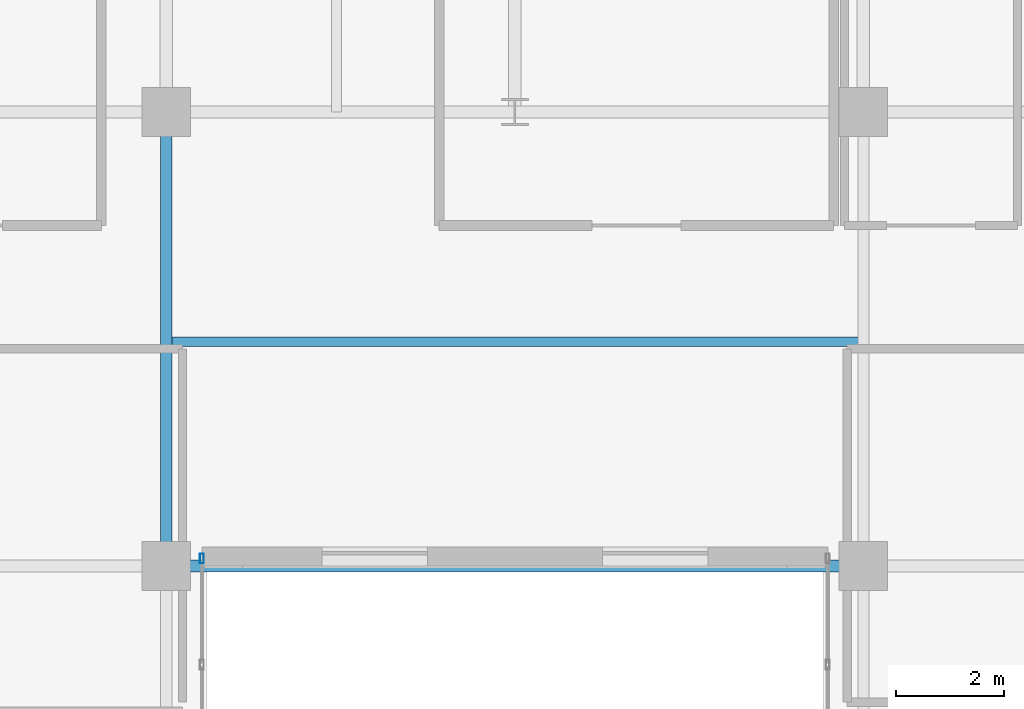
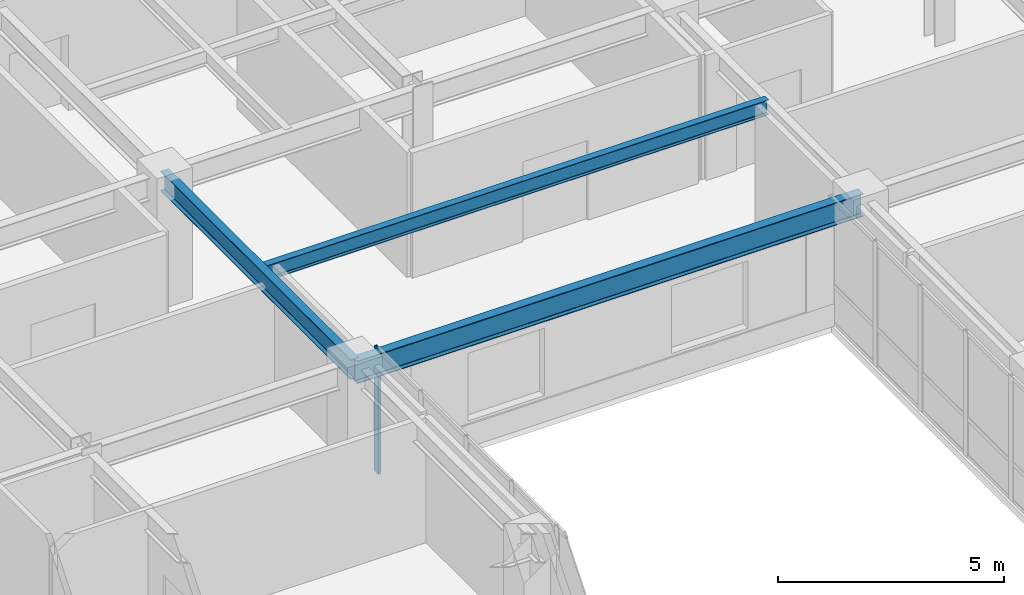
# One storey, part 5 of 25: 3 beams, 1 member, 1 element without a shape of its own.
"""IFC4 building model written with IfcOpenShell, lengths in metres."""

from ifc_helpers import new_model, si_unit, direction, frame, origin, origin_2d, place, context, subcontext, project, spatial, hollow_rectangle, i_section, extrude, source, transform, mapped, material, layer, layer_set, material_profile, profile_set, type_object, type_shapes, element, aggregate, save


model = new_model("IFC4")

# Units and contexts
model_context = context("Model", 3, precision=1e-05, world=origin(), true_north=direction((0.0, 1.0)))
body_context = subcontext(model_context, "Body", "Model", "MODEL_VIEW")
ifc_project = project(units=[si_unit("LENGTHUNIT", "METRE"), si_unit("AREAUNIT", "SQUARE_METRE"), si_unit("VOLUMEUNIT", "CUBIC_METRE"), si_unit("PLANEANGLEUNIT", "RADIAN"), si_unit("MASSUNIT", "GRAM", prefix="KILO")], contexts=[model_context])

# Site, building, storey
site_placement = place(None, origin())
site = spatial("IfcSite", under=ifc_project, at=site_placement, CompositionType="ELEMENT")
building_placement = place(site_placement, origin())
building = spatial("IfcBuilding", under=site, at=building_placement, Name="Tolvann Quenvar Hotel", CompositionType="ELEMENT")
storey_placement = place(building_placement, frame((0.0, 0.0, 132.85009765625)))
storey = spatial("IfcBuildingStorey", under=building, at=storey_placement, Name="L34", CompositionType="ELEMENT", Elevation=132.85009765625)

# Beams
ifc_material_1 = material(Name="Steel Grade 350", Category="steel")
ifc_material_profile_1 = material_profile(ifc_material_1, i_section(OverallWidth=0.22900390625, OverallDepth=0.612060546875, WebThickness=0.011962890625, FlangeThickness=0.01953125, FilletRadius=0.013916015625, at=origin_2d()), Name="610UB125")
ifc_profile_set_1 = profile_set([ifc_material_profile_1], Name="Steel Grade 350")
beam_type_1 = type_object("IfcBeamType", Name="BM_GIRD_610UB125", PredefinedType="BEAM", material=ifc_profile_set_1)
shared_shape_1 = source(origin(), body_context, "Body", "SweptSolid", [
    extrude(i_section(OverallWidth=0.22900390625, OverallDepth=0.612060546875, WebThickness=0.011962890625, FlangeThickness=0.01953125, FilletRadius=0.013916015625, at=origin_2d()), origin(), (0.0, 0.0, 1.0), 12.89990234375),
])
type_shapes(beam_type_1, [shared_shape_1])
beam_1_placement = place(storey_placement, frame((22.050048828125, 16.0, 3.06396484375), z_axis=(1.0, 0.0, 0.0), x_axis=(0.0, 1.0, 0.0)))
element("IfcBeam", 1, at=beam_1_placement, inside=storey, type_object=beam_type_1, Name="BM-L34-EW-4-E4-F4", PredefinedType="BEAM", context=body_context, shape_type="MappedRepresentation", body=[
    mapped(shared_shape_1, transform((0.0, 0.0, 0.0), x_axis=(1.0, 0.0, 0.0), y_axis=(0.0, 1.0, 0.0), z_axis=(0.0, 0.0, 1.0), scale=1.0)),
])
ifc_material_profile_2 = material_profile(ifc_material_1, i_section(OverallWidth=0.208984375, OverallDepth=0.532958984375, WebThickness=0.01025390625, FlangeThickness=0.015625, FilletRadius=0.013916015625, at=origin_2d()), Name="530UB92")
ifc_profile_set_2 = profile_set([ifc_material_profile_2], Name="Steel Grade 350")
beam_type_2 = type_object("IfcBeamType", Name="BM_GIRD_530UB92", PredefinedType="BEAM", material=ifc_profile_set_2)
shared_shape_2 = source(origin(), body_context, "Body", "SweptSolid", [
    extrude(i_section(OverallWidth=0.208984375, OverallDepth=0.532958984375, WebThickness=0.01025390625, FlangeThickness=0.015625, FilletRadius=0.013916015625, at=origin_2d()), origin(), (0.0, 0.0, 1.0), 8.39990234375),
])
type_shapes(beam_type_2, [shared_shape_2])
beam_2_placement = place(storey_placement, frame((22.050048828125, 16.0, 3.103515625), z_axis=(0.0, 1.0, 0.0), x_axis=(-1.0, 0.0, 0.0)))
element("IfcBeam", 2, at=beam_2_placement, inside=storey, type_object=beam_type_2, Name="BM-L34-NS-E4-E5", PredefinedType="BEAM", context=body_context, shape_type="MappedRepresentation", body=[
    mapped(shared_shape_2, transform((0.0, 0.0, 0.0), x_axis=(1.0, 0.0, 0.0), y_axis=(0.0, 1.0, 0.0), z_axis=(0.0, 0.0, 1.0), scale=1.0)),
])
ifc_material_profile_3 = material_profile(ifc_material_1, i_section(OverallWidth=0.177978515625, OverallDepth=0.406005859375, WebThickness=0.0078125, FlangeThickness=0.0126953125, FilletRadius=0.011474609375, at=origin_2d()), Name="410UB60")
ifc_profile_set_3 = profile_set([ifc_material_profile_3], Name="Steel Grade 350")
beam_type_3 = type_object("IfcBeamType", Name="BM_JOIST_410UB60", PredefinedType="JOIST", material=ifc_profile_set_3)
shared_shape_3 = source(origin(), body_context, "Body", "SweptSolid", [
    extrude(i_section(OverallWidth=0.177978515625, OverallDepth=0.406005859375, WebThickness=0.0078125, FlangeThickness=0.0126953125, FilletRadius=0.011474609375, at=origin_2d()), origin(), (0.0, 0.0, 1.0), 12.89990234375),
])
type_shapes(beam_type_3, [shared_shape_3])
beam_3_placement = place(storey_placement, frame((22.050048828125, 20.14990234375, 3.1669921875), z_axis=(1.0, 0.0, 0.0), x_axis=(0.0, 1.0, 0.0)))
element("IfcBeam", 3, at=beam_3_placement, inside=storey, type_object=beam_type_3, Name="BM-L34-SPINE-20", PredefinedType="JOIST", context=body_context, shape_type="MappedRepresentation", body=[
    mapped(shared_shape_3, transform((0.0, 0.0, 0.0), x_axis=(1.0, 0.0, 0.0), y_axis=(0.0, 1.0, 0.0), z_axis=(0.0, 0.0, 1.0), scale=1.0)),
])

# Curtain wall, member
ifc_material_2 = material(Name="Thermally broken anodised architectural aluminium 6063-T6 and laminated low-E glass", Category="aluminium")
ifc_layer = layer(ifc_material_2, 0.179931640625)
ifc_layer_set = layer_set([ifc_layer], Name="Thermally broken anodised architectural aluminium 6063-T6 and laminated low-E glass")
curtain_wall_type = type_object("IfcCurtainWallType", Name="CW_SYS_SLOT_03", PredefinedType="USERDEFINED", material=ifc_layer_set)
curtain_wall_placement = place(storey_placement, origin())
curtain_wall = element("IfcCurtainWall", 4, at=curtain_wall_placement, inside=storey, type_object=curtain_wall_type, Name="Curtain Wall CW-SLOT-03 (CWR-L34-E05)", ObjectType="UNITISED CURTAIN WALL", PredefinedType="USERDEFINED")
ifc_material_3 = material(Name="Anodised architectural aluminium 6063-T6 framing", Category="aluminium")
ifc_material_profile_4 = material_profile(ifc_material_3, hollow_rectangle(XDim=0.070068359375, YDim=0.179931640625, WallThickness=0.00390625, at=origin_2d()), Name="180x70x4RHS")
ifc_profile_set_4 = profile_set([ifc_material_profile_4], Name="Anodised architectural aluminium 6063-T6 framing")
member_type = type_object("IfcMemberType", Name="CW_MULL_180x70", PredefinedType="MULLION", material=ifc_profile_set_4)
shared_shape_4 = source(origin(), body_context, "Body", "SweptSolid", [
    extrude(hollow_rectangle(XDim=0.070068359375, YDim=0.179931640625, WallThickness=0.00390625, at=origin_2d()), origin(), (0.0, 0.0, 1.0), 3.369873046875),
])
type_shapes(member_type, [shared_shape_4])
member_placement = place(storey_placement, frame((22.7099609375, 16.139892578125, 0.0), z_axis=(0.0, 0.0, 1.0), x_axis=(-1.0, 0.0, 0.0)))
member = element("IfcMember", 5, at=member_placement, type_object=member_type, Name="CW-SLOT-03 mullion 9", PredefinedType="MULLION", context=body_context, shape_type="MappedRepresentation", body=[
    mapped(shared_shape_4, transform((0.0, 0.0, 0.0), x_axis=(1.0, 0.0, 0.0), y_axis=(0.0, 1.0, 0.0), z_axis=(0.0, 0.0, 1.0), scale=1.0)),
])
aggregate(curtain_wall, [member])

save(model, "model.ifc")
